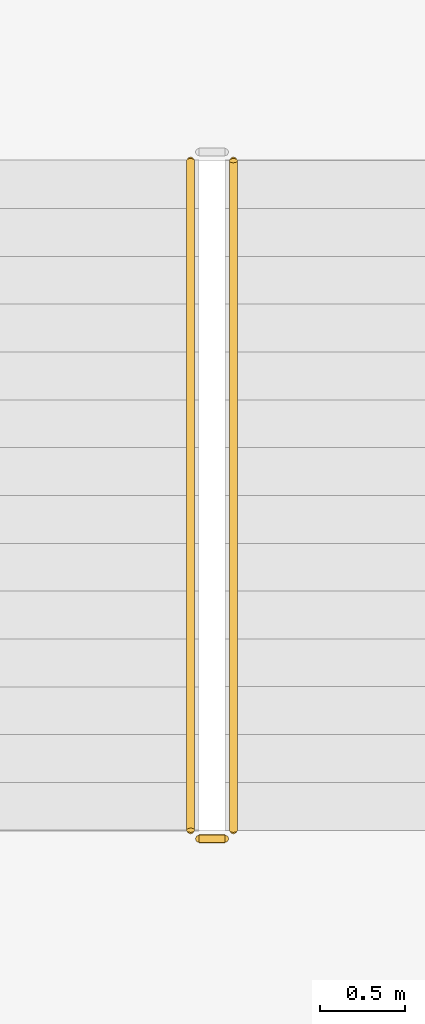
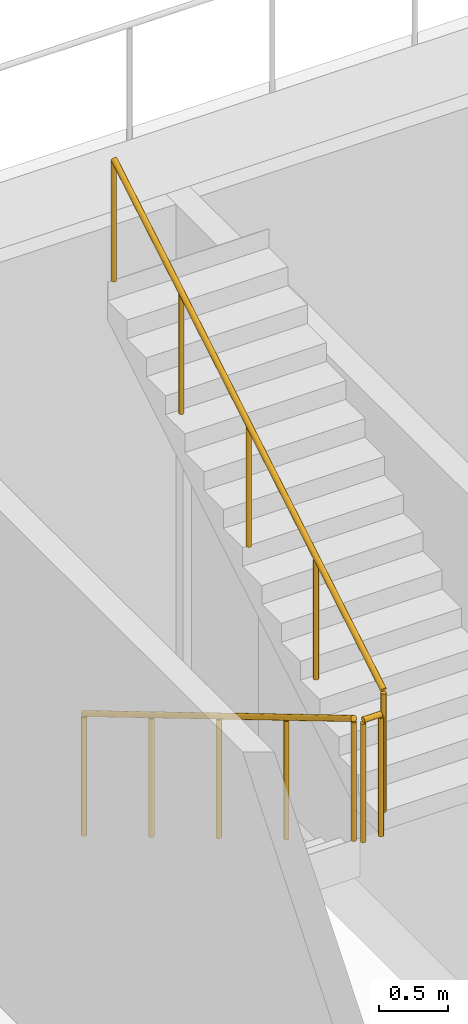
# One storey, part 16 of 19: 3 railings.
"""IFC4 building model written with IfcOpenShell, lengths in metres."""

from ifc_helpers import new_model, si_unit, direction, frame, origin, origin_2d, place, context, subcontext, project, spatial, circle, extrude, material, type_object, element, save


model = new_model("IFC4")

# Units and contexts
model_context = context("Model", 3, precision=1e-05, world=origin(), true_north=direction((0.0, 1.0)))
body_context = subcontext(model_context, "Body", "Model", "MODEL_VIEW")
ifc_project = project(units=[si_unit("LENGTHUNIT", "METRE"), si_unit("AREAUNIT", "SQUARE_METRE"), si_unit("VOLUMEUNIT", "CUBIC_METRE"), si_unit("PLANEANGLEUNIT", "RADIAN"), si_unit("MASSUNIT", "GRAM", prefix="KILO")], contexts=[model_context])

# Site, building, storey
site_placement = place(None, origin())
site = spatial("IfcSite", under=ifc_project, at=site_placement, CompositionType="ELEMENT")
building_placement = place(site_placement, origin())
building = spatial("IfcBuilding", under=site, at=building_placement, Name="Kawkab Arch Medical Tower", CompositionType="ELEMENT")
storey_placement = place(building_placement, frame((0.0, 0.0, 153.39990234375)))
storey = spatial("IfcBuildingStorey", under=building, at=storey_placement, Name="L35", CompositionType="ELEMENT", Elevation=153.39990234375)

# Railings
ifc_material = material(Name="Stainless steel", Category="steel")
railing_type = type_object("IfcRailingType", Name="Stair guard 1100", PredefinedType="GUARDRAIL", material=ifc_material)
railing_1_placement = place(storey_placement, frame((44.39990234375, -1.800048828125, 0.166748046875)))
element("IfcRailing", 1, at=railing_1_placement, inside=storey, type_object=railing_type, Name="L35 ST5 stair guard 1", PredefinedType="GUARDRAIL", context=body_context, shape_type="SweptSolid", body=[
    extrude(circle(Radius=0.02392578125, at=origin_2d()), frame((0.0, 0.0, 1.076171875), z_axis=(0.0, -0.859296244711, 0.511478214419), x_axis=(1.0, 0.0, 0.0)), (0.0, 0.0, 1.0), 4.561767578125),
    extrude(circle(Radius=0.02099609375, at=origin_2d()), origin(), (0.0, 0.0, 1.0), 1.052001953125),
    extrude(circle(Radius=0.02099609375, at=origin_2d()), frame((0.0, -0.97998046875, 0.583251953125)), (0.0, 0.0, 1.0), 1.052001953125),
    extrude(circle(Radius=0.02099609375, at=origin_2d()), frame((0.0, -1.9599609375, 1.16650390625)), (0.0, 0.0, 1.0), 1.052001953125),
    extrude(circle(Radius=0.02099609375, at=origin_2d()), frame((0.0, -2.93994140625, 1.75)), (0.0, 0.0, 1.0), 1.052001953125),
    extrude(circle(Radius=0.02099609375, at=origin_2d()), frame((0.0, -3.919921875, 2.333251953125)), (0.0, 0.0, 1.0), 1.052001953125),
])
railing_2_placement = place(storey_placement, frame((44.449951171875, -5.77001953125, 2.5)))
element("IfcRailing", 2, at=railing_2_placement, inside=storey, type_object=railing_type, Name="L35 ST5 stair guard 2", PredefinedType="GUARDRAIL", context=body_context, shape_type="SweptSolid", body=[
    extrude(circle(Radius=0.02392578125, at=origin_2d()), frame((0.0, 0.0, 1.076171875), z_axis=(1.0, 0.0, 0.0), x_axis=(0.0, 1.0, 0.0)), (0.0, 0.0, 1.0), 0.150146484375),
    extrude(circle(Radius=0.02099609375, at=origin_2d()), origin(), (0.0, 0.0, 1.0), 1.052001953125),
    extrude(circle(Radius=0.02099609375, at=origin_2d()), frame((0.150146484375, 0.0, 0.0)), (0.0, 0.0, 1.0), 1.052001953125),
])
railing_3_placement = place(storey_placement, frame((44.64990234375, -5.719970703125, 2.666748046875)))
element("IfcRailing", 3, at=railing_3_placement, inside=storey, type_object=railing_type, Name="L35 ST5 stair guard 3", PredefinedType="GUARDRAIL", context=body_context, shape_type="SweptSolid", body=[
    extrude(circle(Radius=0.02392578125, at=origin_2d()), frame((0.0, 0.0, 1.076171875), z_axis=(0.0, 0.859296244711, 0.511478214419), x_axis=(-1.0, 0.0, 0.0)), (0.0, 0.0, 1.0), 4.561767578125),
    extrude(circle(Radius=0.02099609375, at=origin_2d()), origin(), (0.0, 0.0, 1.0), 1.052001953125),
    extrude(circle(Radius=0.02099609375, at=origin_2d()), frame((0.0, 0.97998046875, 0.583251953125)), (0.0, 0.0, 1.0), 1.052001953125),
    extrude(circle(Radius=0.02099609375, at=origin_2d()), frame((0.0, 1.9599609375, 1.16650390625)), (0.0, 0.0, 1.0), 1.052001953125),
    extrude(circle(Radius=0.02099609375, at=origin_2d()), frame((0.0, 2.93994140625, 1.75)), (0.0, 0.0, 1.0), 1.052001953125),
    extrude(circle(Radius=0.02099609375, at=origin_2d()), frame((0.0, 3.919921875, 2.333251953125)), (0.0, 0.0, 1.0), 1.052001953125),
])

save(model, "model.ifc")
